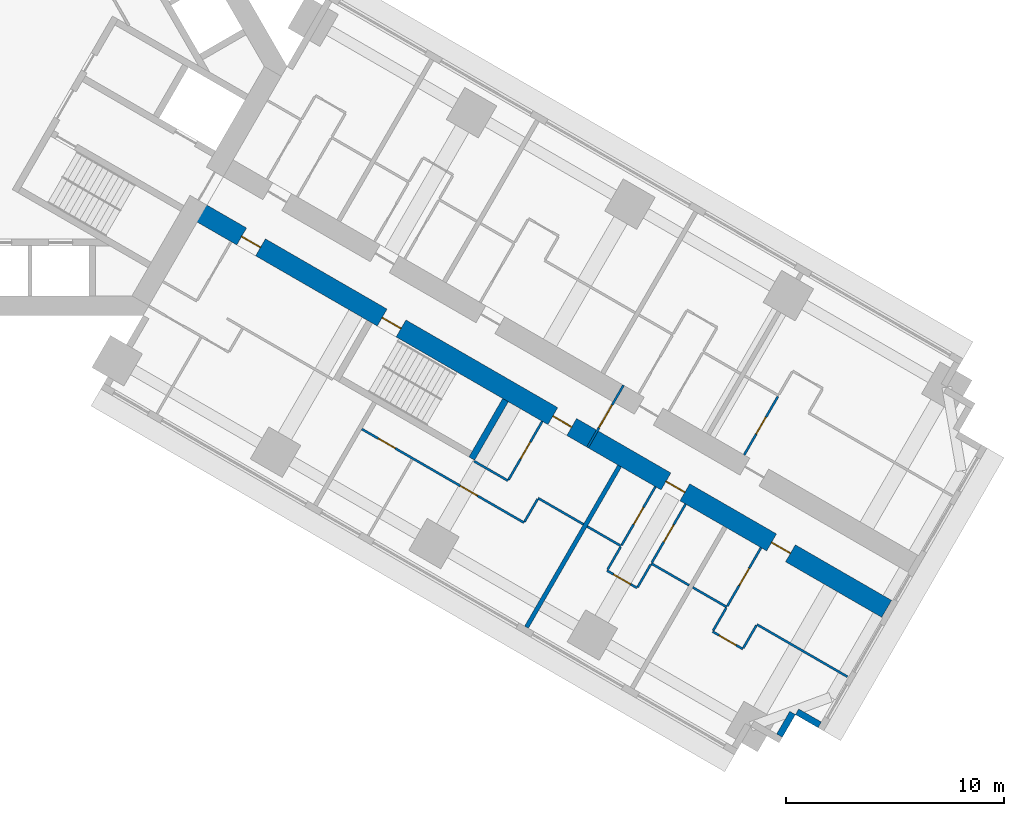
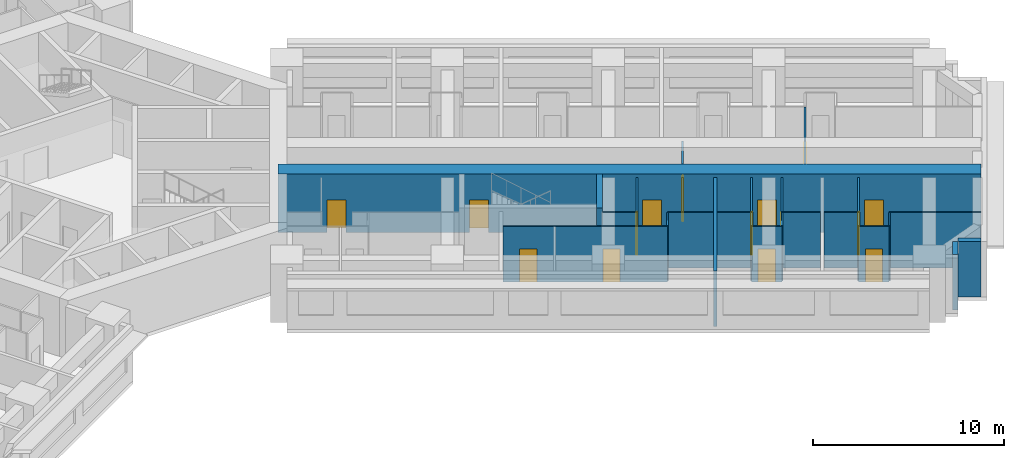
# One storey, part 12 of 17: 25 walls, 15 doors, 15 openings.
"""IFC4 building model written with IfcOpenShell, lengths in metres."""

from ifc_helpers import new_model, si_unit, direction, frame, frame_2d, origin, place, context, subcontext, project, spatial, rectangle, extrude, material, layer, layer_set, type_object, element, fill, save


model = new_model("IFC4")

# Units and contexts
model_context = context("Model", 3, precision=1e-05, world=origin(), true_north=direction((0.0, 1.0)))
body_context = subcontext(model_context, "Body", "Model", "MODEL_VIEW")
ifc_project = project(units=[si_unit("LENGTHUNIT", "METRE"), si_unit("AREAUNIT", "SQUARE_METRE"), si_unit("VOLUMEUNIT", "CUBIC_METRE"), si_unit("PLANEANGLEUNIT", "RADIAN"), si_unit("MASSUNIT", "GRAM", prefix="KILO")], contexts=[model_context])

# Site, building, storey
site_placement = place(None, origin())
site = spatial("IfcSite", under=ifc_project, at=site_placement, CompositionType="ELEMENT")
building_placement = place(site_placement, origin())
building = spatial("IfcBuilding", under=site, at=building_placement, Name="Impinga Residences", CompositionType="ELEMENT")
storey_placement = place(building_placement, frame((0.0, 0.0, 33.5)))
storey = spatial("IfcBuildingStorey", under=building, at=storey_placement, Name="L07", CompositionType="ELEMENT", Elevation=33.5)

# Wall, openings, doors
ifc_material_1 = material(Name="Concrete C70/85", Category="concrete")
ifc_layer_1 = layer(ifc_material_1, 0.89990234375)
ifc_layer_set_1 = layer_set([ifc_layer_1], Name="Concrete C70/85")
wall_type_1 = type_object("IfcWallType", Name="BW1 corridor buttress wall, L05 to L22 900", PredefinedType="SHEAR", material=ifc_layer_set_1)
wall_1_placement = place(storey_placement, frame((8.910400390625, -6.530029296875, 0.0), z_axis=(0.0, 0.0, 1.0), x_axis=(0.866025284237, -0.500000207062, 0.0)))
wall_1 = element("IfcWall", 1, at=wall_1_placement, inside=storey, type_object=wall_type_1, Name="Corridor wall BW1 ED L07", PredefinedType="SHEAR", context=body_context, shape_type="SweptSolid", body=[
    extrude(rectangle(XDim=36.75, YDim=0.89990234375, at=frame_2d((18.375, 0.0))), origin(), (0.0, 0.0, 1.0), 3.75),
])
opening_1_placement = place(wall_1_placement, frame((10.0, 0.0, 0.0)))
opening_1 = element("IfcOpeningElement", 2, at=opening_1_placement, cuts=wall_1, Name="Opening D5", PredefinedType="OPENING", context=body_context, shape_type="SweptSolid", body=[
    extrude(rectangle(XDim=1.0, YDim=2.10009765625, at=frame_2d((0.5, 1.050048828125))), frame((0.0, 0.4599609375, 0.0), z_axis=(0.0, -1.0, 0.0), x_axis=(1.0, 0.0, 0.0)), (0.0, 0.0, 1.0), 0.919921875),
])
opening_2_placement = place(wall_1_placement, frame((2.550048828125, 0.0, 0.0)))
opening_2 = element("IfcOpeningElement", 3, at=opening_2_placement, cuts=wall_1, Name="Opening D1", PredefinedType="OPENING", context=body_context, shape_type="SweptSolid", body=[
    extrude(rectangle(XDim=1.0, YDim=2.10009765625, at=frame_2d((0.5, 1.050048828125))), frame((0.0, 0.4599609375, 0.0), z_axis=(0.0, -1.0, 0.0), x_axis=(1.0, 0.0, 0.0)), (0.0, 0.0, 1.0), 0.919921875),
])
opening_3_placement = place(wall_1_placement, frame((19.050048828125, 0.0, 0.0)))
opening_3 = element("IfcOpeningElement", 4, at=opening_3_placement, cuts=wall_1, Name="Opening D1", PredefinedType="OPENING", context=body_context, shape_type="SweptSolid", body=[
    extrude(rectangle(XDim=1.0, YDim=2.10009765625, at=frame_2d((0.5, 1.050048828125))), frame((0.0, 0.4599609375, 0.0), z_axis=(0.0, -1.0, 0.0), x_axis=(1.0, 0.0, 0.0)), (0.0, 0.0, 1.0), 0.919921875),
])
opening_4_placement = place(wall_1_placement, frame((25.050048828125, 0.0, 0.0)))
opening_4 = element("IfcOpeningElement", 5, at=opening_4_placement, cuts=wall_1, Name="Opening D1", PredefinedType="OPENING", context=body_context, shape_type="SweptSolid", body=[
    extrude(rectangle(XDim=1.0, YDim=2.10009765625, at=frame_2d((0.5, 1.050048828125))), frame((0.0, 0.4599609375, 0.0), z_axis=(0.0, -1.0, 0.0), x_axis=(1.0, 0.0, 0.0)), (0.0, 0.0, 1.0), 0.919921875),
])
opening_5_placement = place(wall_1_placement, frame((30.64990234375, 0.0, 0.0)))
opening_5 = element("IfcOpeningElement", 6, at=opening_5_placement, cuts=wall_1, Name="Opening D1", PredefinedType="OPENING", context=body_context, shape_type="SweptSolid", body=[
    extrude(rectangle(XDim=1.0, YDim=2.10009765625, at=frame_2d((0.5, 1.050048828125))), frame((0.0, 0.4599609375, 0.0), z_axis=(0.0, -1.0, 0.0), x_axis=(1.0, 0.0, 0.0)), (0.0, 0.0, 1.0), 0.919921875),
])
ifc_material_2 = material(Name="Timber door set", Category="wood")
door_type_1 = type_object("IfcDoorType", Name="D1 apartment entrance door 1000x2100", OperationType="SINGLE_SWING_LEFT", PredefinedType="DOOR", material=ifc_material_2)
door_1_placement = place(opening_2_placement, origin())
door_1 = element("IfcDoor", 7, at=door_1_placement, inside=storey, type_object=door_type_1, Name="Apartment L07-EF1 entrance", OperationType="SINGLE_SWING_LEFT", OverallHeight=2.10009765625, OverallWidth=1.0, PredefinedType="DOOR", context=body_context, shape_type="SweptSolid", body=[
    extrude(rectangle(XDim=1.0, YDim=2.10009765625, at=frame_2d((0.5, 1.050048828125))), frame((0.0, 0.02490234375, 0.0), z_axis=(0.0, -1.0, 0.0), x_axis=(1.0, 0.0, 0.0)), (0.0, 0.0, 1.0), 0.050048828125),
])
fill(opening_2, door_1)
door_2_placement = place(opening_3_placement, origin())
door_2 = element("IfcDoor", 8, at=door_2_placement, inside=storey, type_object=door_type_1, Name="Apartment L07-EF2 entrance", OperationType="SINGLE_SWING_RIGHT", OverallHeight=2.10009765625, OverallWidth=1.0, PredefinedType="DOOR", context=body_context, shape_type="SweptSolid", body=[
    extrude(rectangle(XDim=1.0, YDim=2.10009765625, at=frame_2d((0.5, 1.050048828125))), frame((0.0, 0.02490234375, 0.0), z_axis=(0.0, -1.0, 0.0), x_axis=(1.0, 0.0, 0.0)), (0.0, 0.0, 1.0), 0.050048828125),
])
fill(opening_3, door_2)
door_3_placement = place(opening_4_placement, origin())
door_3 = element("IfcDoor", 9, at=door_3_placement, inside=storey, type_object=door_type_1, Name="Apartment L07-EF3 entrance", OperationType="SINGLE_SWING_RIGHT", OverallHeight=2.10009765625, OverallWidth=1.0, PredefinedType="DOOR", context=body_context, shape_type="SweptSolid", body=[
    extrude(rectangle(XDim=1.0, YDim=2.10009765625, at=frame_2d((0.5, 1.050048828125))), frame((0.0, 0.02490234375, 0.0), z_axis=(0.0, -1.0, 0.0), x_axis=(1.0, 0.0, 0.0)), (0.0, 0.0, 1.0), 0.050048828125),
])
fill(opening_4, door_3)
door_4_placement = place(opening_5_placement, origin())
door_4 = element("IfcDoor", 10, at=door_4_placement, inside=storey, type_object=door_type_1, Name="Apartment L07-EF4 entrance", OperationType="SINGLE_SWING_RIGHT", OverallHeight=2.10009765625, OverallWidth=1.0, PredefinedType="DOOR", context=body_context, shape_type="SweptSolid", body=[
    extrude(rectangle(XDim=1.0, YDim=2.10009765625, at=frame_2d((0.5, 1.050048828125))), frame((0.0, 0.02490234375, 0.0), z_axis=(0.0, -1.0, 0.0), x_axis=(1.0, 0.0, 0.0)), (0.0, 0.0, 1.0), 0.050048828125),
])
fill(opening_5, door_4)
door_type_2 = type_object("IfcDoorType", Name="D5 stair door 1000x2100", OperationType="SINGLE_SWING_LEFT", PredefinedType="DOOR", material=ifc_material_2)
door_5_placement = place(opening_1_placement, origin())
door_5 = element("IfcDoor", 11, at=door_5_placement, inside=storey, type_object=door_type_2, Name="Wing stair door E", OperationType="SINGLE_SWING_LEFT", OverallHeight=2.10009765625, OverallWidth=1.0, PredefinedType="DOOR", context=body_context, shape_type="SweptSolid", body=[
    extrude(rectangle(XDim=1.0, YDim=2.10009765625, at=frame_2d((0.5, 1.050048828125))), frame((0.0, 0.02490234375, 0.0), z_axis=(0.0, -1.0, 0.0), x_axis=(1.0, 0.0, 0.0)), (0.0, 0.0, 1.0), 0.050048828125),
])
fill(opening_1, door_5)

# Wall, opening, door
ifc_material_3 = material(Name="Concrete blockwork", Category="masonry")
ifc_layer_2 = layer(ifc_material_3, 0.10009765625)
ifc_layer_set_2 = layer_set([ifc_layer_2], Name="CP1 core room partition, blockwork 100")
wall_type_2 = type_object("IfcWallType", Name="CP1 core room partition, blockwork 100", PredefinedType="PARTITIONING", material=ifc_layer_set_2)
wall_2_placement = place(storey_placement, frame((28.652099609375, -14.636962890625, 0.0), z_axis=(0.0, 0.0, 1.0), x_axis=(-0.499974350878, -0.866040211805, 0.0)))
wall_2 = element("IfcWall", 12, at=wall_2_placement, inside=storey, type_object=wall_type_2, Name="Core room partition, blockwork L07:E:SCR", PredefinedType="PARTITIONING", context=body_context, shape_type="SweptSolid", body=[
    extrude(rectangle(XDim=3.300048828125, YDim=0.10009765625, at=frame_2d((1.64990234375, 0.0))), origin(), (0.0, 0.0, 1.0), 3.530029296875),
])
opening_6_placement = place(wall_2_placement, frame((1.050048828125, 0.0, 0.0)))
opening_6 = element("IfcOpeningElement", 13, at=opening_6_placement, cuts=wall_2, Name="Opening D3", PredefinedType="OPENING", context=body_context, shape_type="SweptSolid", body=[
    extrude(rectangle(XDim=1.199951171875, YDim=2.10009765625, at=frame_2d((0.60009765625, 1.050048828125))), frame((0.0, 0.06005859375, 0.0), z_axis=(0.0, -1.0, 0.0), x_axis=(1.0, 0.0, 0.0)), (0.0, 0.0, 1.0), 0.1201171875),
])
door_type_3 = type_object("IfcDoorType", Name="D3 room door, leaf and a half 1200x2100", OperationType="DOUBLE_SWING_LEFT", PredefinedType="DOOR", material=ifc_material_2)
door_6_placement = place(opening_6_placement, origin())
door_6 = element("IfcDoor", 14, at=door_6_placement, inside=storey, type_object=door_type_3, Name="Corridor smoke door E", OperationType="DOUBLE_SWING_LEFT", OverallHeight=2.10009765625, OverallWidth=1.199951171875, PredefinedType="DOOR", context=body_context, shape_type="SweptSolid", body=[
    extrude(rectangle(XDim=1.199951171875, YDim=2.10009765625, at=frame_2d((0.60009765625, 1.050048828125))), frame((0.0, 0.02490234375, 0.0), z_axis=(0.0, -1.0, 0.0), x_axis=(1.0, 0.0, 0.0)), (0.0, 0.0, 1.0), 0.050048828125),
])
fill(opening_6, door_6)

# Walls
ifc_material_4 = material(Name="Terracotta rainscreen on blockwork", Category="masonry")
ifc_layer_3 = layer(ifc_material_4, 0.300048828125)
ifc_layer_set_3 = layer_set([ifc_layer_3], Name="EW1 external wall, terracotta rainscreen on blockwork 300")
wall_type_3 = type_object("IfcWallType", Name="EW1 external wall, terracotta rainscreen on blockwork 300", PredefinedType="SOLIDWALL", material=ifc_layer_set_3)
wall_3_placement = place(storey_placement, frame((37.66162109375, -30.23095703125, 0.0), z_axis=(0.0, 0.0, 1.0), x_axis=(-0.866059708757, 0.499940577336, 0.0)))
element("IfcWall", 15, at=wall_3_placement, inside=storey, type_object=wall_type_3, Name="External wall EW1 L07", PredefinedType="SOLIDWALL", context=body_context, shape_type="SweptSolid", body=[
    extrude(rectangle(XDim=1.195068359375, YDim=0.300048828125, at=frame_2d((0.59765625, 0.0))), origin(), (0.0, 0.0, 1.0), 3.530029296875),
])
wall_4_placement = place(storey_placement, frame((36.41748046875, -29.68603515625, 0.0), z_axis=(0.0, 0.0, 1.0), x_axis=(-0.499969057507, -0.866043267704, 0.0)))
element("IfcWall", 16, at=wall_4_placement, inside=storey, type_object=wall_type_3, Name="External wall EW1 L07", PredefinedType="SOLIDWALL", context=body_context, shape_type="SweptSolid", body=[
    extrude(rectangle(XDim=1.19970703125, YDim=0.300048828125, at=frame_2d((0.599853515625, 0.0))), origin(), (0.0, 0.0, 1.0), 3.530029296875),
])

# Wall, opening, door
ifc_material_5 = material(Name="Gypsum board on steel studs", Category="steel")
ifc_layer_4 = layer(ifc_material_5, 0.10009765625)
ifc_layer_set_4 = layer_set([ifc_layer_4], Name="Gypsum board on steel studs")
wall_type_4 = type_object("IfcWallType", Name="IP1 partition 100", PredefinedType="PARTITIONING", material=ifc_layer_set_4)
wall_5_placement = place(storey_placement, frame((34.1943359375, -17.8369140625, 0.0), z_axis=(0.0, 0.0, 1.0), x_axis=(0.49999285859, 0.86602952684, 0.0)))
wall_5 = element("IfcWall", 17, at=wall_5_placement, inside=storey, type_object=wall_type_4, Name="Partition L07-EA5:IB1", PredefinedType="PARTITIONING", context=body_context, shape_type="SweptSolid", body=[
    extrude(rectangle(XDim=3.10009765625, YDim=0.10009765625, at=frame_2d((1.550048828125, 0.0))), origin(), (0.0, 0.0, 1.0), 3.530029296875),
])
opening_7_placement = place(wall_5_placement, frame((1.10009765625, 0.0, 0.0)))
opening_7 = element("IfcOpeningElement", 18, at=opening_7_placement, cuts=wall_5, Name="Opening D2", PredefinedType="OPENING", context=body_context, shape_type="SweptSolid", body=[
    extrude(rectangle(XDim=0.89990234375, YDim=2.10009765625, at=frame_2d((0.449951171875, 1.050048828125))), frame((0.0, 0.06005859375, 0.0), z_axis=(0.0, -1.0, 0.0), x_axis=(1.0, 0.0, 0.0)), (0.0, 0.0, 1.0), 0.1201171875),
])
door_type_4 = type_object("IfcDoorType", Name="D2 internal door 900x2100", OperationType="SINGLE_SWING_LEFT", PredefinedType="DOOR", material=ifc_material_2)
door_7_placement = place(opening_7_placement, origin())
door_7 = element("IfcDoor", 19, at=door_7_placement, inside=storey, type_object=door_type_4, Name="Apartment L07-EA5 bathroom door", OperationType="SINGLE_SWING_LEFT", OverallHeight=2.10009765625, OverallWidth=0.89990234375, PredefinedType="DOOR", context=body_context, shape_type="SweptSolid", body=[
    extrude(rectangle(XDim=0.89990234375, YDim=2.10009765625, at=frame_2d((0.449951171875, 1.050048828125))), frame((0.0, 0.02490234375, 0.0), z_axis=(0.0, -1.0, 0.0), x_axis=(1.0, 0.0, 0.0)), (0.0, 0.0, 1.0), 0.050048828125),
])
fill(opening_7, door_7)

# Walls
wall_6_placement = place(storey_placement, frame((21.789306640625, -18.122802734375, 0.0), z_axis=(0.0, 0.0, 1.0), x_axis=(0.866047807691, -0.499961193289, 0.0)))
element("IfcWall", 20, at=wall_6_placement, inside=storey, type_object=wall_type_4, Name="Partition L07-EF2:DIV0", PredefinedType="PARTITIONING", context=body_context, shape_type="SweptSolid", body=[
    extrude(rectangle(XDim=1.800048828125, YDim=0.10009765625, at=frame_2d((0.89990234375, 0.0))), origin(), (0.0, 0.0, 1.0), 3.530029296875),
])
wall_7_placement = place(storey_placement, frame((24.73388671875, -19.82275390625, 0.0), z_axis=(0.0, 0.0, 1.0), x_axis=(0.866024647952, -0.500001309137, 0.0)))
element("IfcWall", 21, at=wall_7_placement, inside=storey, type_object=wall_type_4, Name="Partition L07-EF2:DIV1", PredefinedType="PARTITIONING", context=body_context, shape_type="SweptSolid", body=[
    extrude(rectangle(XDim=2.39990234375, YDim=0.10009765625, at=frame_2d((1.199951171875, 0.0))), origin(), (0.0, 0.0, 1.0), 3.530029296875),
])

# Wall, openings, doors
wall_8_placement = place(storey_placement, frame((16.635986328125, -16.6484375, 0.0), z_axis=(0.0, 0.0, 1.0), x_axis=(0.866028165386, -0.499995216735, 0.0)))
wall_8 = element("IfcWall", 22, at=wall_8_placement, inside=storey, type_object=wall_type_4, Name="Partition L07-EF2:STRIP", PredefinedType="PARTITIONING", context=body_context, shape_type="SweptSolid", body=[
    extrude(rectangle(XDim=8.60009765625, YDim=0.10009765625, at=frame_2d((4.300048828125, 0.0))), origin(), (0.0, 0.0, 1.0), 3.530029296875),
])
opening_8_placement = place(wall_8_placement, frame((0.875, 0.0, 0.0)))
opening_8 = element("IfcOpeningElement", 23, at=opening_8_placement, cuts=wall_8, Name="Opening D2", PredefinedType="OPENING", context=body_context, shape_type="SweptSolid", body=[
    extrude(rectangle(XDim=0.89990234375, YDim=2.10009765625, at=frame_2d((0.449951171875, 1.050048828125))), frame((0.0, 0.06005859375, 0.0), z_axis=(0.0, -1.0, 0.0), x_axis=(1.0, 0.0, 0.0)), (0.0, 0.0, 1.0), 0.1201171875),
])
opening_9_placement = place(wall_8_placement, frame((5.22509765625, 0.0, 0.0)))
opening_9 = element("IfcOpeningElement", 24, at=opening_9_placement, cuts=wall_8, Name="Opening D2", PredefinedType="OPENING", context=body_context, shape_type="SweptSolid", body=[
    extrude(rectangle(XDim=0.89990234375, YDim=2.10009765625, at=frame_2d((0.449951171875, 1.050048828125))), frame((0.0, 0.06005859375, 0.0), z_axis=(0.0, -1.0, 0.0), x_axis=(1.0, 0.0, 0.0)), (0.0, 0.0, 1.0), 0.1201171875),
])
door_8_placement = place(opening_8_placement, origin())
door_8 = element("IfcDoor", 25, at=door_8_placement, inside=storey, type_object=door_type_4, Name="Apartment L07-EF2 room door", OperationType="SINGLE_SWING_LEFT", OverallHeight=2.10009765625, OverallWidth=0.89990234375, PredefinedType="DOOR", context=body_context, shape_type="SweptSolid", body=[
    extrude(rectangle(XDim=0.89990234375, YDim=2.10009765625, at=frame_2d((0.449951171875, 1.050048828125))), frame((0.0, 0.02490234375, 0.0), z_axis=(0.0, -1.0, 0.0), x_axis=(1.0, 0.0, 0.0)), (0.0, 0.0, 1.0), 0.050048828125),
])
fill(opening_8, door_8)
door_9_placement = place(opening_9_placement, origin())
door_9 = element("IfcDoor", 26, at=door_9_placement, inside=storey, type_object=door_type_4, Name="Apartment L07-EF2 room door", OperationType="SINGLE_SWING_RIGHT", OverallHeight=2.10009765625, OverallWidth=0.89990234375, PredefinedType="DOOR", context=body_context, shape_type="SweptSolid", body=[
    extrude(rectangle(XDim=0.89990234375, YDim=2.10009765625, at=frame_2d((0.449951171875, 1.050048828125))), frame((0.0, 0.02490234375, 0.0), z_axis=(0.0, -1.0, 0.0), x_axis=(1.0, 0.0, 0.0)), (0.0, 0.0, 1.0), 0.050048828125),
])
fill(opening_9, door_9)

# Wall
wall_9_placement = place(storey_placement, frame((24.708984375, -19.865966796875, 0.0), z_axis=(0.0, 0.0, 1.0), x_axis=(-0.500033551112, -0.866006032174, 0.0)))
element("IfcWall", 27, at=wall_9_placement, inside=storey, type_object=wall_type_4, Name="Partition L07-EF2:SE1", PredefinedType="PARTITIONING", context=body_context, shape_type="SweptSolid", body=[
    extrude(rectangle(XDim=1.2001953125, YDim=0.10009765625, at=frame_2d((0.60009765625, 0.0))), origin(), (0.0, 0.0, 1.0), 3.530029296875),
])

# Wall, opening, door
wall_10_placement = place(storey_placement, frame((24.92333984375, -16.294677734375, 0.0), z_axis=(0.0, 0.0, 1.0), x_axis=(-0.49999285859, -0.86602952684, 0.0)))
wall_10 = element("IfcWall", 28, at=wall_10_placement, inside=storey, type_object=wall_type_4, Name="Partition L07-EF2:IB1", PredefinedType="PARTITIONING", context=body_context, shape_type="SweptSolid", body=[
    extrude(rectangle(XDim=3.10009765625, YDim=0.10009765625, at=frame_2d((1.550048828125, 0.0))), origin(), (0.0, 0.0, 1.0), 3.530029296875),
])
opening_10_placement = place(wall_10_placement, frame((1.10009765625, 0.0, 0.0)))
opening_10 = element("IfcOpeningElement", 29, at=opening_10_placement, cuts=wall_10, Name="Opening D2", PredefinedType="OPENING", context=body_context, shape_type="SweptSolid", body=[
    extrude(rectangle(XDim=0.89990234375, YDim=2.10009765625, at=frame_2d((0.449951171875, 1.050048828125))), frame((0.0, 0.06005859375, 0.0), z_axis=(0.0, -1.0, 0.0), x_axis=(1.0, 0.0, 0.0)), (0.0, 0.0, 1.0), 0.1201171875),
])
door_10_placement = place(opening_10_placement, origin())
door_10 = element("IfcDoor", 30, at=door_10_placement, inside=storey, type_object=door_type_4, Name="Apartment L07-EF2 bathroom door", OperationType="SINGLE_SWING_LEFT", OverallHeight=2.10009765625, OverallWidth=0.89990234375, PredefinedType="DOOR", context=body_context, shape_type="SweptSolid", body=[
    extrude(rectangle(XDim=0.89990234375, YDim=2.10009765625, at=frame_2d((0.449951171875, 1.050048828125))), frame((0.0, 0.02490234375, 0.0), z_axis=(0.0, -1.0, 0.0), x_axis=(1.0, 0.0, 0.0)), (0.0, 0.0, 1.0), 0.050048828125),
])
fill(opening_10, door_10)

# Walls
wall_11_placement = place(storey_placement, frame((26.985595703125, -21.122802734375, 0.0), z_axis=(0.0, 0.0, 1.0), x_axis=(0.866047807691, -0.499961193289, 0.0)))
element("IfcWall", 31, at=wall_11_placement, inside=storey, type_object=wall_type_4, Name="Partition L07-EF3:DIV0", PredefinedType="PARTITIONING", context=body_context, shape_type="SweptSolid", body=[
    extrude(rectangle(XDim=1.800048828125, YDim=0.10009765625, at=frame_2d((0.89990234375, 0.0))), origin(), (0.0, 0.0, 1.0), 3.530029296875),
])
wall_12_placement = place(storey_placement, frame((29.93017578125, -22.82275390625, 0.0), z_axis=(0.0, 0.0, 1.0), x_axis=(0.866010750942, -0.50002537861, 0.0)))
element("IfcWall", 32, at=wall_12_placement, inside=storey, type_object=wall_type_4, Name="Partition L07-EF3:DIV1", PredefinedType="PARTITIONING", context=body_context, shape_type="SweptSolid", body=[
    extrude(rectangle(XDim=2.0, YDim=0.10009765625, at=frame_2d((1.0, 0.0))), origin(), (0.0, 0.0, 1.0), 3.530029296875),
])

# Wall, opening, door
wall_13_placement = place(storey_placement, frame((27.89453125, -23.1484375, 0.0), z_axis=(0.0, 0.0, 1.0), x_axis=(0.865989903783, -0.500061482766, 0.0)))
wall_13 = element("IfcWall", 33, at=wall_13_placement, inside=storey, type_object=wall_type_4, Name="Partition L07-EF3:STRIP", PredefinedType="PARTITIONING", context=body_context, shape_type="SweptSolid", body=[
    extrude(rectangle(XDim=1.599853515625, YDim=0.10009765625, at=frame_2d((0.7998046875, 0.0))), origin(), (0.0, 0.0, 1.0), 3.530029296875),
])
opening_11_placement = place(wall_13_placement, frame((0.35009765625, 0.0, 0.0)))
opening_11 = element("IfcOpeningElement", 34, at=opening_11_placement, cuts=wall_13, Name="Opening D2", PredefinedType="OPENING", context=body_context, shape_type="SweptSolid", body=[
    extrude(rectangle(XDim=0.89990234375, YDim=2.10009765625, at=frame_2d((0.449951171875, 1.050048828125))), frame((0.0, 0.06005859375, 0.0), z_axis=(0.0, -1.0, 0.0), x_axis=(1.0, 0.0, 0.0)), (0.0, 0.0, 1.0), 0.1201171875),
])
door_11_placement = place(opening_11_placement, origin())
door_11 = element("IfcDoor", 35, at=door_11_placement, inside=storey, type_object=door_type_4, Name="Apartment L07-EF3 room door", OperationType="SINGLE_SWING_LEFT", OverallHeight=2.10009765625, OverallWidth=0.89990234375, PredefinedType="DOOR", context=body_context, shape_type="SweptSolid", body=[
    extrude(rectangle(XDim=0.89990234375, YDim=2.10009765625, at=frame_2d((0.449951171875, 1.050048828125))), frame((0.0, 0.02490234375, 0.0), z_axis=(0.0, -1.0, 0.0), x_axis=(1.0, 0.0, 0.0)), (0.0, 0.0, 1.0), 0.050048828125),
])
fill(opening_11, door_11)

# Walls
wall_14_placement = place(storey_placement, frame((28.51953125, -22.06591796875, 0.0), z_axis=(0.0, 0.0, 1.0), x_axis=(-0.500033551112, -0.866006032174, 0.0)))
element("IfcWall", 36, at=wall_14_placement, inside=storey, type_object=wall_type_4, Name="Partition L07-EF3:SE0", PredefinedType="PARTITIONING", context=body_context, shape_type="SweptSolid", body=[
    extrude(rectangle(XDim=1.2001953125, YDim=0.10009765625, at=frame_2d((0.60009765625, 0.0))), origin(), (0.0, 0.0, 1.0), 3.530029296875),
])
wall_15_placement = place(storey_placement, frame((29.905029296875, -22.865966796875, 0.0), z_axis=(0.0, 0.0, 1.0), x_axis=(-0.499880961361, -0.866094119867, 0.0)))
element("IfcWall", 37, at=wall_15_placement, inside=storey, type_object=wall_type_4, Name="Partition L07-EF3:SE1", PredefinedType="PARTITIONING", context=body_context, shape_type="SweptSolid", body=[
    extrude(rectangle(XDim=1.199951171875, YDim=0.10009765625, at=frame_2d((0.60009765625, 0.0))), origin(), (0.0, 0.0, 1.0), 3.530029296875),
])

# Wall, opening, door
wall_16_placement = place(storey_placement, frame((30.119384765625, -19.294677734375, 0.0), z_axis=(0.0, 0.0, 1.0), x_axis=(-0.49999285859, -0.86602952684, 0.0)))
wall_16 = element("IfcWall", 38, at=wall_16_placement, inside=storey, type_object=wall_type_4, Name="Partition L07-EF3:IB1", PredefinedType="PARTITIONING", context=body_context, shape_type="SweptSolid", body=[
    extrude(rectangle(XDim=3.10009765625, YDim=0.10009765625, at=frame_2d((1.550048828125, 0.0))), origin(), (0.0, 0.0, 1.0), 3.530029296875),
])
opening_12_placement = place(wall_16_placement, frame((1.10009765625, 0.0, 0.0)))
opening_12 = element("IfcOpeningElement", 39, at=opening_12_placement, cuts=wall_16, Name="Opening D2", PredefinedType="OPENING", context=body_context, shape_type="SweptSolid", body=[
    extrude(rectangle(XDim=0.89990234375, YDim=2.10009765625, at=frame_2d((0.449951171875, 1.050048828125))), frame((0.0, 0.06005859375, 0.0), z_axis=(0.0, -1.0, 0.0), x_axis=(1.0, 0.0, 0.0)), (0.0, 0.0, 1.0), 0.1201171875),
])
door_12_placement = place(opening_12_placement, origin())
door_12 = element("IfcDoor", 40, at=door_12_placement, inside=storey, type_object=door_type_4, Name="Apartment L07-EF3 bathroom door", OperationType="SINGLE_SWING_LEFT", OverallHeight=2.10009765625, OverallWidth=0.89990234375, PredefinedType="DOOR", context=body_context, shape_type="SweptSolid", body=[
    extrude(rectangle(XDim=0.89990234375, YDim=2.10009765625, at=frame_2d((0.449951171875, 1.050048828125))), frame((0.0, 0.02490234375, 0.0), z_axis=(0.0, -1.0, 0.0), x_axis=(1.0, 0.0, 0.0)), (0.0, 0.0, 1.0), 0.050048828125),
])
fill(opening_12, door_12)

wall_17_placement = place(storey_placement, frame((31.505126953125, -20.0947265625, 0.0), z_axis=(0.0, 0.0, 1.0), x_axis=(-0.500026960575, -0.86600983753, 0.0)))
wall_17 = element("IfcWall", 41, at=wall_17_placement, inside=storey, type_object=wall_type_4, Name="Partition L07-EF3:IB2", PredefinedType="PARTITIONING", context=body_context, shape_type="SweptSolid", body=[
    extrude(rectangle(XDim=3.099853515625, YDim=0.10009765625, at=frame_2d((1.5498046875, 0.0))), origin(), (0.0, 0.0, 1.0), 3.530029296875),
])
opening_13_placement = place(wall_17_placement, frame((1.10009765625, 0.0, 0.0)))
opening_13 = element("IfcOpeningElement", 42, at=opening_13_placement, cuts=wall_17, Name="Opening D2", PredefinedType="OPENING", context=body_context, shape_type="SweptSolid", body=[
    extrude(rectangle(XDim=0.89990234375, YDim=2.10009765625, at=frame_2d((0.449951171875, 1.050048828125))), frame((0.0, 0.06005859375, 0.0), z_axis=(0.0, -1.0, 0.0), x_axis=(1.0, 0.0, 0.0)), (0.0, 0.0, 1.0), 0.1201171875),
])
door_13_placement = place(opening_13_placement, origin())
door_13 = element("IfcDoor", 43, at=door_13_placement, inside=storey, type_object=door_type_4, Name="Apartment L07-EF3 WC door", OperationType="SINGLE_SWING_LEFT", OverallHeight=2.10009765625, OverallWidth=0.89990234375, PredefinedType="DOOR", context=body_context, shape_type="SweptSolid", body=[
    extrude(rectangle(XDim=0.89990234375, YDim=2.10009765625, at=frame_2d((0.449951171875, 1.050048828125))), frame((0.0, 0.02490234375, 0.0), z_axis=(0.0, -1.0, 0.0), x_axis=(1.0, 0.0, 0.0)), (0.0, 0.0, 1.0), 0.050048828125),
])
fill(opening_13, door_13)

# Walls
wall_18_placement = place(storey_placement, frame((31.835205078125, -23.922607421875, 0.0), z_axis=(0.0, 0.0, 1.0), x_axis=(0.865989075817, -0.500062916607, 0.0)))
element("IfcWall", 44, at=wall_18_placement, inside=storey, type_object=wall_type_4, Name="Partition L07-EF4:DIV0", PredefinedType="PARTITIONING", context=body_context, shape_type="SweptSolid", body=[
    extrude(rectangle(XDim=1.800048828125, YDim=0.10009765625, at=frame_2d((0.89990234375, 0.0))), origin(), (0.0, 0.0, 1.0), 3.530029296875),
])
wall_19_placement = place(storey_placement, frame((34.77978515625, -25.622802734375, 0.0), z_axis=(0.0, 0.0, 1.0), x_axis=(0.866037363387, -0.499979284789, 0.0)))
element("IfcWall", 45, at=wall_19_placement, inside=storey, type_object=wall_type_4, Name="Partition L07-EF4:DIV1", PredefinedType="PARTITIONING", context=body_context, shape_type="SweptSolid", body=[
    extrude(rectangle(XDim=4.800048828125, YDim=0.10009765625, at=frame_2d((2.39990234375, 0.0))), origin(), (0.0, 0.0, 1.0), 3.530029296875),
])

# Wall, opening, door
wall_20_placement = place(storey_placement, frame((32.744140625, -25.948486328125, 0.0), z_axis=(0.0, 0.0, 1.0), x_axis=(0.866028054938, -0.499995408039, 0.0)))
wall_20 = element("IfcWall", 46, at=wall_20_placement, inside=storey, type_object=wall_type_4, Name="Partition L07-EF4:STRIP", PredefinedType="PARTITIONING", context=body_context, shape_type="SweptSolid", body=[
    extrude(rectangle(XDim=1.60009765625, YDim=0.10009765625, at=frame_2d((0.800048828125, 0.0))), origin(), (0.0, 0.0, 1.0), 3.530029296875),
])
opening_14_placement = place(wall_20_placement, frame((0.35009765625, 0.0, 0.0)))
opening_14 = element("IfcOpeningElement", 47, at=opening_14_placement, cuts=wall_20, Name="Opening D2", PredefinedType="OPENING", context=body_context, shape_type="SweptSolid", body=[
    extrude(rectangle(XDim=0.89990234375, YDim=2.10009765625, at=frame_2d((0.449951171875, 1.050048828125))), frame((0.0, 0.06005859375, 0.0), z_axis=(0.0, -1.0, 0.0), x_axis=(1.0, 0.0, 0.0)), (0.0, 0.0, 1.0), 0.1201171875),
])
door_14_placement = place(opening_14_placement, origin())
door_14 = element("IfcDoor", 48, at=door_14_placement, inside=storey, type_object=door_type_4, Name="Apartment L07-EF4 room door", OperationType="SINGLE_SWING_LEFT", OverallHeight=2.10009765625, OverallWidth=0.89990234375, PredefinedType="DOOR", context=body_context, shape_type="SweptSolid", body=[
    extrude(rectangle(XDim=0.89990234375, YDim=2.10009765625, at=frame_2d((0.449951171875, 1.050048828125))), frame((0.0, 0.02490234375, 0.0), z_axis=(0.0, -1.0, 0.0), x_axis=(1.0, 0.0, 0.0)), (0.0, 0.0, 1.0), 0.050048828125),
])
fill(opening_14, door_14)

# Walls
for number, where, z_axis, x_axis, name in (
    (49, (33.369140625, -24.865966796875, 0.0), (0.0, 0.0, 1.0), (-0.500033551112, -0.866006032174, 0.0), "Partition L07-EF4:SE0"),
    (50, (34.7548828125, -25.666015625, 0.0), (0.0, 0.0, 1.0), (-0.500033551112, -0.866006032174, 0.0), "Partition L07-EF4:SE1"),
):
    element("IfcWall", number, at=place(storey_placement, frame(where, z_axis=z_axis, x_axis=x_axis)), inside=storey, type_object=wall_type_4, Name=name, PredefinedType="PARTITIONING", context=body_context, shape_type="SweptSolid", body=[
        extrude(rectangle(XDim=1.2001953125, YDim=0.10009765625, at=frame_2d((0.60009765625, 0.0))), origin(), (0.0, 0.0, 1.0), 3.530029296875),
    ])

# Wall, opening, door
wall_21_placement = place(storey_placement, frame((34.96923828125, -22.0947265625, 0.0), z_axis=(0.0, 0.0, 1.0), x_axis=(-0.500026960575, -0.86600983753, 0.0)))
wall_21 = element("IfcWall", 51, at=wall_21_placement, inside=storey, type_object=wall_type_4, Name="Partition L07-EF4:IB1", PredefinedType="PARTITIONING", context=body_context, shape_type="SweptSolid", body=[
    extrude(rectangle(XDim=3.099853515625, YDim=0.10009765625, at=frame_2d((1.5498046875, 0.0))), origin(), (0.0, 0.0, 1.0), 3.530029296875),
])
opening_15_placement = place(wall_21_placement, frame((1.10009765625, 0.0, 0.0)))
opening_15 = element("IfcOpeningElement", 52, at=opening_15_placement, cuts=wall_21, Name="Opening D2", PredefinedType="OPENING", context=body_context, shape_type="SweptSolid", body=[
    extrude(rectangle(XDim=0.89990234375, YDim=2.10009765625, at=frame_2d((0.449951171875, 1.050048828125))), frame((0.0, 0.06005859375, 0.0), z_axis=(0.0, -1.0, 0.0), x_axis=(1.0, 0.0, 0.0)), (0.0, 0.0, 1.0), 0.1201171875),
])
door_15_placement = place(opening_15_placement, origin())
door_15 = element("IfcDoor", 53, at=door_15_placement, inside=storey, type_object=door_type_4, Name="Apartment L07-EF4 bathroom door", OperationType="SINGLE_SWING_LEFT", OverallHeight=2.10009765625, OverallWidth=0.89990234375, PredefinedType="DOOR", context=body_context, shape_type="SweptSolid", body=[
    extrude(rectangle(XDim=0.89990234375, YDim=2.10009765625, at=frame_2d((0.449951171875, 1.050048828125))), frame((0.0, 0.02490234375, 0.0), z_axis=(0.0, -1.0, 0.0), x_axis=(1.0, 0.0, 0.0)), (0.0, 0.0, 1.0), 0.050048828125),
])
fill(opening_15, door_15)

# Walls
ifc_layer_5 = layer(ifc_material_3, 0.199951171875)
ifc_layer_set_5 = layer_set([ifc_layer_5], Name="PW1 party wall between apartments 200")
wall_type_5 = type_object("IfcWallType", Name="PW1 party wall between apartments 200", PredefinedType="SOLIDWALL", material=ifc_layer_set_5)
wall_22_placement = place(storey_placement, frame((28.473876953125, -18.3447265625, 0.0), z_axis=(0.0, 0.0, 1.0), x_axis=(-0.499990227581, -0.86603104582, 0.0)))
element("IfcWall", 54, at=wall_22_placement, inside=storey, type_object=wall_type_5, Name="Party wall between apartments L07-EF2:PARTY", PredefinedType="SOLIDWALL", context=body_context, shape_type="SweptSolid", body=[
    extrude(rectangle(XDim=8.550048828125, YDim=0.199951171875, at=frame_2d((4.27490234375, 0.0))), origin(), (0.0, 0.0, 1.0), 3.530029296875),
])
ifc_material_6 = material(Name="Concrete C60/75", Category="concrete")
ifc_layer_6 = layer(ifc_material_6, 0.300048828125)
ifc_layer_set_6 = layer_set([ifc_layer_6], Name="Concrete C60/75")
wall_type_6 = type_object("IfcWallType", Name="SE1 wing stair enclosure wall 300", PredefinedType="SOLIDWALL", material=ifc_layer_set_6)
wall_23_placement = place(storey_placement, frame((23.234619140625, -15.31982421875, 0.0), z_axis=(0.0, 0.0, 1.0), x_axis=(-0.500026960575, -0.86600983753, 0.0)))
element("IfcWall", 55, at=wall_23_placement, inside=storey, type_object=wall_type_6, Name="Stair enclosure wall SE1 E END1 L07", PredefinedType="SOLIDWALL", context=body_context, shape_type="SweptSolid", body=[
    extrude(rectangle(XDim=3.099853515625, YDim=0.300048828125, at=frame_2d((1.5498046875, 0.0))), origin(), (0.0, 0.0, 1.0), 3.75),
])

save(model, "model.ifc")
